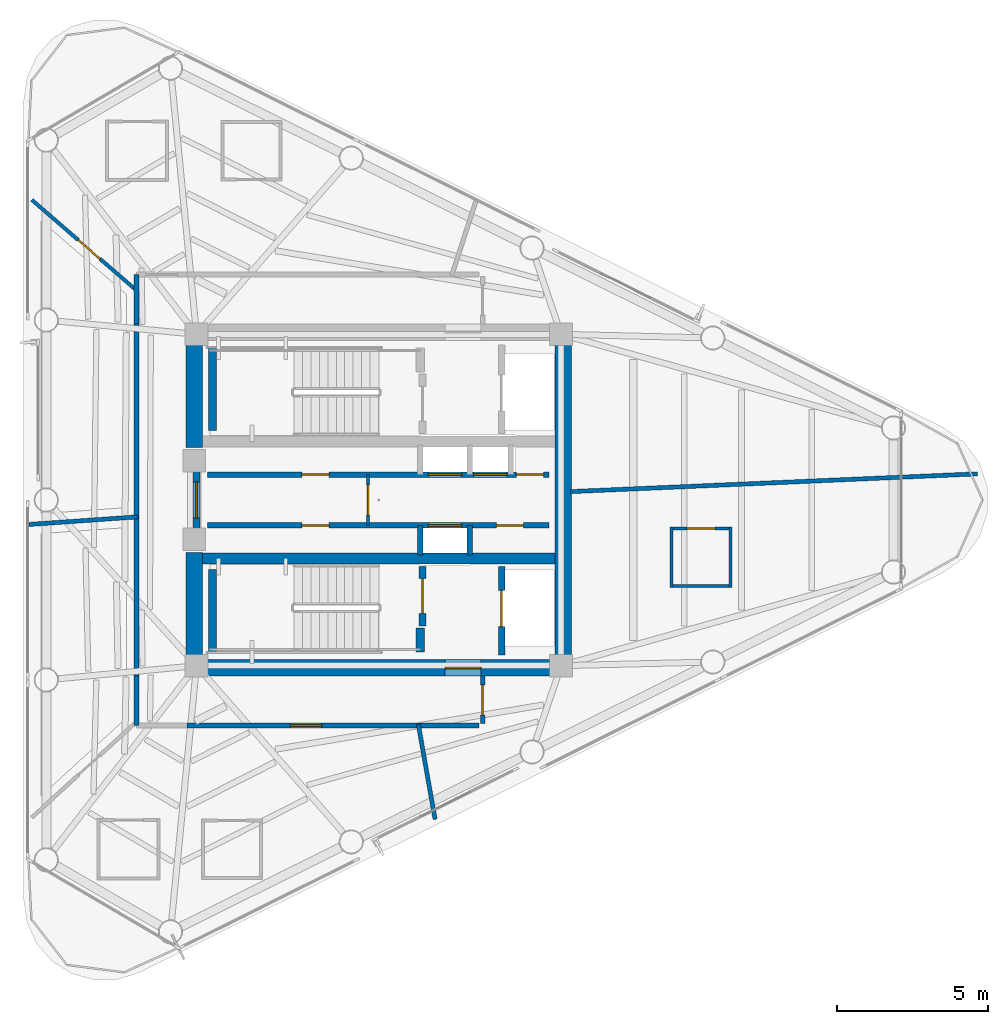
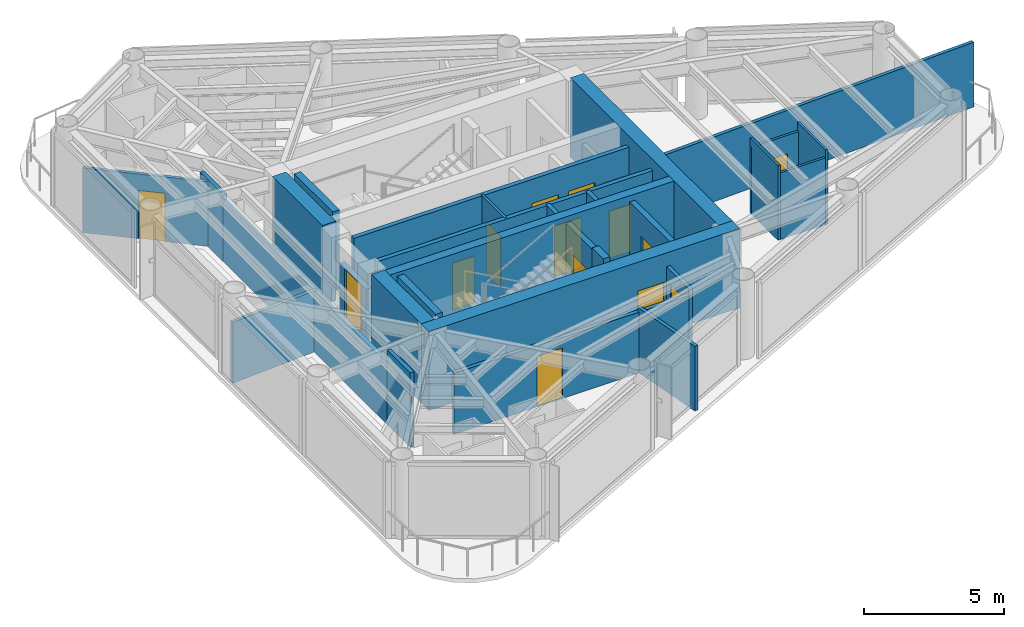
# One storey, part 5 of 10: 29 walls, 16 doors, 16 openings.
"""IFC4 building model written with IfcOpenShell, lengths in metres."""

from ifc_helpers import new_model, si_unit, direction, frame, frame_2d, origin, place, context, subcontext, project, spatial, rectangle, extrude, material, layer, layer_set, type_object, element, fill, save


model = new_model("IFC4")

# Units and contexts
model_context = context("Model", 3, precision=1e-05, world=origin(), true_north=direction((0.0, 1.0)))
body_context = subcontext(model_context, "Body", "Model", "MODEL_VIEW")
ifc_project = project(units=[si_unit("LENGTHUNIT", "METRE"), si_unit("AREAUNIT", "SQUARE_METRE"), si_unit("VOLUMEUNIT", "CUBIC_METRE"), si_unit("PLANEANGLEUNIT", "RADIAN"), si_unit("MASSUNIT", "GRAM", prefix="KILO")], contexts=[model_context])

# Site, building, storey
site_placement = place(None, origin())
site = spatial("IfcSite", under=ifc_project, at=site_placement, CompositionType="ELEMENT")
building_placement = place(site_placement, origin())
building = spatial("IfcBuilding", under=site, at=building_placement, Name="Yunling Apex Tower", CompositionType="ELEMENT")
storey_placement = place(building_placement, frame((0.0, 0.0, 300.199951171875)))
storey = spatial("IfcBuildingStorey", under=building, at=storey_placement, Name="L73", CompositionType="ELEMENT", Elevation=300.199951171875)

# Wall, opening, door
ifc_material_1 = material(Name="Concrete C40", Category="concrete")
ifc_layer_1 = layer(ifc_material_1, 0.550048828125)
ifc_layer_set_1 = layer_set([ifc_layer_1], Name="Concrete C40")
wall_type_1 = type_object("IfcWallType", Name="WL-COR-3", PredefinedType="SHEAR", material=ifc_layer_set_1)
wall_1_placement = place(storey_placement, frame((-6.39990234375, -5.574951171875, 0.0), z_axis=(0.0, 0.0, 1.0), x_axis=(1.0, 0.0, 0.0)))
wall_1 = element("IfcWall", 1, at=wall_1_placement, inside=storey, type_object=wall_type_1, Name="L73 South Core Shear Wall", PredefinedType="SHEAR", context=body_context, shape_type="SweptSolid", body=[
    extrude(rectangle(XDim=12.7998046875, YDim=0.550048828125, at=frame_2d((6.39990234375, 0.0))), origin(), (0.0, 0.0, 1.0), 3.449951171875),
])
opening_1_placement = place(wall_1_placement, frame((8.60009765625, 0.0, 0.0)))
opening_1 = element("IfcOpeningElement", 2, at=opening_1_placement, cuts=wall_1, Name="Opening DR-FFL-1", PredefinedType="OPENING", context=body_context, shape_type="SweptSolid", body=[
    extrude(rectangle(XDim=1.199951171875, YDim=2.199951171875, at=frame_2d((0.60009765625, 1.10009765625))), frame((0.0, 0.28515625, 0.0), z_axis=(0.0, -1.0, 0.0), x_axis=(1.0, 0.0, 0.0)), (0.0, 0.0, 1.0), 0.570068359375),
])
ifc_material_2 = material(Name="Steel Q355B", Category="steel")
door_type_1 = type_object("IfcDoorType", Name="DR-FFL-1", OperationType="NOTDEFINED", PredefinedType="DOOR", material=ifc_material_2)
door_1_placement = place(opening_1_placement, origin())
door_1 = element("IfcDoor", 3, at=door_1_placement, inside=storey, type_object=door_type_1, Name="L73 South Firefighting Lobby Door", OperationType="SINGLE_SWING_RIGHT", OverallHeight=2.199951171875, OverallWidth=1.199951171875, PredefinedType="DOOR", context=body_context, shape_type="SweptSolid", body=[
    extrude(rectangle(XDim=1.199951171875, YDim=2.199951171875, at=frame_2d((0.60009765625, 1.10009765625))), frame((0.0, 0.02490234375, 0.0), z_axis=(0.0, -1.0, 0.0), x_axis=(1.0, 0.0, 0.0)), (0.0, 0.0, 1.0), 0.050048828125),
])
fill(opening_1, door_1)

# Walls
wall_2_placement = place(storey_placement, frame((6.125, -5.300048828125, 0.0), z_axis=(0.0, 0.0, 1.0), x_axis=(0.0, 1.0, 0.0)))
element("IfcWall", 4, at=wall_2_placement, inside=storey, type_object=wall_type_1, Name="L73 East Core Shear Wall", PredefinedType="SHEAR", context=body_context, shape_type="SweptSolid", body=[
    extrude(rectangle(XDim=10.60009765625, YDim=0.550048828125, at=frame_2d((5.300048828125, 0.0))), origin(), (0.0, 0.0, 1.0), 3.449951171875),
])
for number, where, z_axis, x_axis, name in (
    (5, (-6.125, -5.300048828125, 0.0), (0.0, 0.0, 1.0), (0.0, 1.0, 0.0), "L73 West-South Core Shear Wall"),
    (6, (-6.125, 1.75, 0.0), (0.0, 0.0, 1.0), (0.0, 1.0, 0.0), "L73 West-North Core Shear Wall"),
):
    element("IfcWall", number, at=place(storey_placement, frame(where, z_axis=z_axis, x_axis=x_axis)), inside=storey, type_object=wall_type_1, Name=name, PredefinedType="SHEAR", context=body_context, shape_type="SweptSolid", body=[
        extrude(rectangle(XDim=3.550048828125, YDim=0.550048828125, at=frame_2d((1.77490234375, 0.0))), origin(), (0.0, 0.0, 1.0), 3.449951171875),
    ])
ifc_layer_2 = layer(ifc_material_1, 0.360107421875)
ifc_layer_set_2 = layer_set([ifc_layer_2], Name="Concrete C40")
wall_type_2 = type_object("IfcWallType", Name="WL-COR-4", PredefinedType="SHEAR", material=ifc_layer_set_2)
wall_3_placement = place(storey_placement, frame((-5.85009765625, -1.93994140625, 0.0), z_axis=(0.0, 0.0, 1.0), x_axis=(1.0, 0.0, 0.0)))
element("IfcWall", 7, at=wall_3_placement, inside=storey, type_object=wall_type_2, Name="L73 South Internal Core Shear Wall", PredefinedType="SHEAR", context=body_context, shape_type="SweptSolid", body=[
    extrude(rectangle(XDim=11.7001953125, YDim=0.360107421875, at=frame_2d((5.85009765625, 0.0))), origin(), (0.0, 0.0, 1.0), 3.449951171875),
])
ifc_layer_3 = layer(ifc_material_1, 0.280029296875)
ifc_layer_set_3 = layer_set([ifc_layer_3], Name="Concrete C40")
wall_type_3 = type_object("IfcWallType", Name="WL-COR-8", PredefinedType="SHEAR", material=ifc_layer_set_3)
for number, where, z_axis, x_axis, name in (
    (8, (-5.52001953125, 2.300048828125, 0.0), (0.0, 0.0, 1.0), (0.0, 1.0, 0.0), "L73 ST-1 West Landing Bearing Wall"),
    (9, (-5.52001953125, -5.050048828125, 0.0), (0.0, 0.0, 1.0), (0.0, 1.0, 0.0), "L73 ST-2 West Landing Bearing Wall"),
):
    element("IfcWall", number, at=place(storey_placement, frame(where, z_axis=z_axis, x_axis=x_axis)), inside=storey, type_object=wall_type_3, Name=name, PredefinedType="SHEAR", context=body_context, shape_type="SweptSolid", body=[
        extrude(rectangle(XDim=2.75, YDim=0.280029296875, at=frame_2d((1.375, 0.0))), origin(), (0.0, 0.0, 1.0), 3.449951171875),
    ])
wall_4_placement = place(storey_placement, frame((1.3798828125, -5.050048828125, 0.0), z_axis=(0.0, 0.0, 1.0), x_axis=(0.0, 1.0, 0.0)))
element("IfcWall", 10, at=wall_4_placement, inside=storey, type_object=wall_type_3, Name="L73 ST-2 East Landing Bearing Pier", PredefinedType="SHEAR", context=body_context, shape_type="SweptSolid", body=[
    extrude(rectangle(XDim=0.800048828125, YDim=0.280029296875, at=frame_2d((0.39990234375, 0.0))), origin(), (0.0, 0.0, 1.0), 3.449951171875),
])
ifc_material_3 = material(Name="Gypsum board acoustic partition")
ifc_layer_4 = layer(ifc_material_3, 0.159912109375)
ifc_layer_set_4 = layer_set([ifc_layer_4], Name="Gypsum board acoustic partition")
wall_type_4 = type_object("IfcWallType", Name="WL-PRT-1", PredefinedType="PARTITIONING", material=ifc_layer_set_4)
wall_5_placement = place(storey_placement, frame((-8.0400390625, 5.85009765625, 0.0), z_axis=(0.0, 0.0, 1.0), x_axis=(0.0, 1.0, 0.0)))
element("IfcWall", 11, at=wall_5_placement, inside=storey, type_object=wall_type_4, Name="WL-CORR-L73-01", PredefinedType="PARTITIONING", context=body_context, shape_type="SweptSolid", body=[
    extrude(rectangle(XDim=1.639892578125, YDim=0.159912109375, at=frame_2d((0.81982421875, 0.0))), origin(), (0.0, 0.0, 1.0), 2.905029296875),
])

# Wall, opening, door
wall_6_placement = place(storey_placement, frame((3.449951171875, -5.85009765625, 0.0), z_axis=(0.0, 0.0, 1.0), x_axis=(0.0, -1.0, 0.0)))
wall_6 = element("IfcWall", 12, at=wall_6_placement, inside=storey, type_object=wall_type_4, Name="WL-CORR-L73-05", PredefinedType="PARTITIONING", context=body_context, shape_type="SweptSolid", body=[
    extrude(rectangle(XDim=1.57470703125, YDim=0.159912109375, at=frame_2d((0.787353515625, 0.0))), origin(), (0.0, 0.0, 1.0), 2.85498046875),
])
opening_2_placement = place(wall_6_placement, frame((0.287353515625, 0.0, 0.0)))
opening_2 = element("IfcOpeningElement", 13, at=opening_2_placement, cuts=wall_6, Name="Opening DR-OFF-1", PredefinedType="OPENING", context=body_context, shape_type="SweptSolid", body=[
    extrude(rectangle(XDim=1.0, YDim=2.25, at=frame_2d((0.5, 1.125))), frame((0.0, 0.08984375, 0.0), z_axis=(0.0, -1.0, 0.0), x_axis=(1.0, 0.0, 0.0)), (0.0, 0.0, 1.0), 0.179931640625),
])
ifc_material_4 = material(Name="Bronze anodised aluminium", Category="aluminium")
door_type_2 = type_object("IfcDoorType", Name="DR-OFF-1", OperationType="NOTDEFINED", PredefinedType="DOOR", material=ifc_material_4)
door_2_placement = place(opening_2_placement, origin())
door_2 = element("IfcDoor", 14, at=door_2_placement, inside=storey, type_object=door_type_2, Name="L73 Residents Music Lounge Door", OperationType="SINGLE_SWING_LEFT", OverallHeight=2.25, OverallWidth=1.0, PredefinedType="DOOR", context=body_context, shape_type="SweptSolid", body=[
    extrude(rectangle(XDim=1.0, YDim=2.25, at=frame_2d((0.5, 1.125))), frame((0.0, 0.02490234375, 0.0), z_axis=(0.0, -1.0, 0.0), x_axis=(1.0, 0.0, 0.0)), (0.0, 0.0, 1.0), 0.050048828125),
])
fill(opening_2, door_2)

wall_7_placement = place(storey_placement, frame((3.319091796875, -7.489990234375, 0.0), z_axis=(0.0, 0.0, 1.0), x_axis=(-1.0, 0.0, 0.0)))
wall_7 = element("IfcWall", 15, at=wall_7_placement, inside=storey, type_object=wall_type_4, Name="WL-CORR-L73-06", PredefinedType="PARTITIONING", context=body_context, shape_type="SweptSolid", body=[
    extrude(rectangle(XDim=9.67919921875, YDim=0.159912109375, at=frame_2d((4.839599609375, 0.0))), origin(), (0.0, 0.0, 1.0), 2.655029296875),
])
opening_3_placement = place(wall_7_placement, frame((5.213134765625, 0.0, 0.0)))
opening_3 = element("IfcOpeningElement", 16, at=opening_3_placement, cuts=wall_7, Name="Opening DR-FL-1", PredefinedType="OPENING", context=body_context, shape_type="SweptSolid", body=[
    extrude(rectangle(XDim=1.050048828125, YDim=2.199951171875, at=frame_2d((0.52490234375, 1.10009765625))), frame((0.0, 0.08984375, 0.0), z_axis=(0.0, -1.0, 0.0), x_axis=(1.0, 0.0, 0.0)), (0.0, 0.0, 1.0), 0.179931640625),
])
ifc_material_5 = material(Name="Timber fire-rated leaf", Category="wood")
door_type_3 = type_object("IfcDoorType", Name="DR-FL-1", OperationType="NOTDEFINED", PredefinedType="DOOR", material=ifc_material_5)
door_3_placement = place(opening_3_placement, origin())
door_3 = element("IfcDoor", 17, at=door_3_placement, inside=storey, type_object=door_type_3, Name="L73 Unit 1 Entrance Door", OperationType="SINGLE_SWING_RIGHT", OverallHeight=2.199951171875, OverallWidth=1.050048828125, PredefinedType="DOOR", context=body_context, shape_type="SweptSolid", body=[
    extrude(rectangle(XDim=1.050048828125, YDim=2.199951171875, at=frame_2d((0.52490234375, 1.10009765625))), frame((0.0, 0.02490234375, 0.0), z_axis=(0.0, -1.0, 0.0), x_axis=(1.0, 0.0, 0.0)), (0.0, 0.0, 1.0), 0.050048828125),
])
fill(opening_3, door_3)

# Walls
wall_8_placement = place(storey_placement, frame((-8.0400390625, -7.489990234375, 0.0), z_axis=(0.0, 0.0, 1.0), x_axis=(0.0, 1.0, 0.0)))
element("IfcWall", 18, at=wall_8_placement, inside=storey, type_object=wall_type_4, Name="WL-CORR-L73-08", PredefinedType="PARTITIONING", context=body_context, shape_type="SweptSolid", body=[
    extrude(rectangle(XDim=1.639892578125, YDim=0.159912109375, at=frame_2d((0.81982421875, 0.0))), origin(), (0.0, 0.0, 1.0), 3.25),
])
wall_9_placement = place(storey_placement, frame((-8.0400390625, -5.85009765625, 0.0), z_axis=(0.0, 0.0, 1.0), x_axis=(0.0, 1.0, 0.0)))
element("IfcWall", 19, at=wall_9_placement, inside=storey, type_object=wall_type_4, Name="WL-CORR-L73-09", PredefinedType="PARTITIONING", context=body_context, shape_type="SweptSolid", body=[
    extrude(rectangle(XDim=11.7001953125, YDim=0.159912109375, at=frame_2d((5.85009765625, 0.0))), origin(), (0.0, 0.0, 1.0), 2.655029296875),
])
ifc_layer_5 = layer(ifc_material_3, 0.139892578125)
ifc_layer_set_5 = layer_set([ifc_layer_5], Name="Gypsum board acoustic partition")
wall_type_5 = type_object("IfcWallType", Name="WL-PRT-2", PredefinedType="PARTITIONING", material=ifc_layer_set_5)
wall_10_placement = place(storey_placement, frame((6.360107421875, 0.277587890625, 0.0), z_axis=(0.0, 0.0, 1.0), x_axis=(0.999047623791, 0.043633076864, 0.0)))
element("IfcWall", 20, at=wall_10_placement, inside=storey, type_object=wall_type_5, Name="WL-RAD-L73-01", PredefinedType="PARTITIONING", context=body_context, shape_type="SweptSolid", body=[
    extrude(rectangle(XDim=13.52392578125, YDim=0.139892578125, at=frame_2d((6.761962890625, 0.0))), origin(), (0.0, 0.0, 1.0), 2.81494140625),
])
wall_11_placement = place(storey_placement, frame((-8.0, -0.559326171875, 0.0), z_axis=(0.0, 0.0, 1.0), x_axis=(-0.99756047181, -0.069807629118, 0.0)))
element("IfcWall", 21, at=wall_11_placement, inside=storey, type_object=wall_type_5, Name="WL-RAD-L73-03", PredefinedType="PARTITIONING", context=body_context, shape_type="SweptSolid", body=[
    extrude(rectangle(XDim=3.6162109375, YDim=0.139892578125, at=frame_2d((1.80810546875, 0.0))), origin(), (0.0, 0.0, 1.0), 2.655029296875),
])
wall_12_placement = place(storey_placement, frame((1.313720703125, -7.449951171875, 0.0), z_axis=(0.0, 0.0, 1.0), x_axis=(0.173619966433, -0.984812726997, 0.0)))
element("IfcWall", 22, at=wall_12_placement, inside=storey, type_object=wall_type_5, Name="WL-RAD-L73-04", PredefinedType="PARTITIONING", context=body_context, shape_type="SweptSolid", body=[
    extrude(rectangle(XDim=3.200439453125, YDim=0.139892578125, at=frame_2d((1.60009765625, 0.0))), origin(), (0.0, 0.0, 1.0), 2.81494140625),
])

# Wall, opening, door
ifc_layer_6 = layer(ifc_material_3, 0.1201171875)
ifc_layer_set_6 = layer_set([ifc_layer_6], Name="Gypsum board acoustic partition")
wall_type_6 = type_object("IfcWallType", Name="WL-PRT-3", PredefinedType="PARTITIONING", material=ifc_layer_set_6)
wall_13_placement = place(storey_placement, frame((-8.070068359375, 6.98095703125, 0.0), z_axis=(0.0, 0.0, 1.0), x_axis=(-0.756280799409, 0.654247164644, 0.0)))
wall_13 = element("IfcWall", 23, at=wall_13_placement, inside=storey, type_object=wall_type_6, Name="WL-BED-L73-4", PredefinedType="PARTITIONING", context=body_context, shape_type="SweptSolid", body=[
    extrude(rectangle(XDim=4.55810546875, YDim=0.1201171875, at=frame_2d((2.279052734375, 0.0))), origin(), (0.0, 0.0, 1.0), 2.81494140625),
])
opening_4_placement = place(wall_13_placement, frame((1.5712890625, 0.0, 0.0)))
opening_4 = element("IfcOpeningElement", 24, at=opening_4_placement, cuts=wall_13, Name="Opening DR-RM-1", PredefinedType="OPENING", context=body_context, shape_type="SweptSolid", body=[
    extrude(rectangle(XDim=0.949951171875, YDim=2.10009765625, at=frame_2d((0.47509765625, 1.050048828125))), frame((0.0, 0.070068359375, 0.0), z_axis=(0.0, -1.0, 0.0), x_axis=(1.0, 0.0, 0.0)), (0.0, 0.0, 1.0), 0.14013671875),
])
ifc_material_6 = material(Name="Timber flush leaf", Category="wood")
door_type_4 = type_object("IfcDoorType", Name="DR-RM-1", OperationType="NOTDEFINED", PredefinedType="DOOR", material=ifc_material_6)
door_4_placement = place(opening_4_placement, origin())
door_4 = element("IfcDoor", 25, at=door_4_placement, inside=storey, type_object=door_type_4, Name="L73 Unit 4 Bedroom Door", OperationType="SINGLE_SWING_RIGHT", OverallHeight=2.10009765625, OverallWidth=0.949951171875, PredefinedType="DOOR", context=body_context, shape_type="SweptSolid", body=[
    extrude(rectangle(XDim=0.949951171875, YDim=2.10009765625, at=frame_2d((0.47509765625, 1.050048828125))), frame((0.0, 0.02490234375, 0.0), z_axis=(0.0, -1.0, 0.0), x_axis=(1.0, 0.0, 0.0)), (0.0, 0.0, 1.0), 0.050048828125),
])
fill(opening_4, door_4)

ifc_layer_7 = layer(ifc_material_3, 0.10009765625)
ifc_layer_set_7 = layer_set([ifc_layer_7], Name="Gypsum board acoustic partition")
wall_type_7 = type_object("IfcWallType", Name="WL-PRT-4", PredefinedType="PARTITIONING", material=ifc_layer_set_7)
wall_14_placement = place(storey_placement, frame((-0.35009765625, -0.840087890625, 0.0), z_axis=(0.0, 0.0, 1.0), x_axis=(0.0, 1.0, 0.0)))
wall_14 = element("IfcWall", 26, at=wall_14_placement, inside=storey, type_object=wall_type_7, Name="WL-LOB-MID-L73", PredefinedType="PARTITIONING", context=body_context, shape_type="SweptSolid", body=[
    extrude(rectangle(XDim=1.68017578125, YDim=0.10009765625, at=frame_2d((0.840087890625, 0.0))), origin(), (0.0, 0.0, 1.0), 3.25),
])
opening_5_placement = place(wall_14_placement, frame((0.340087890625, 0.0, 0.0)))
opening_5 = element("IfcOpeningElement", 27, at=opening_5_placement, cuts=wall_14, Name="Opening DR-OFF-1", PredefinedType="OPENING", context=body_context, shape_type="SweptSolid", body=[
    extrude(rectangle(XDim=1.0, YDim=2.25, at=frame_2d((0.5, 1.125))), frame((0.0, 0.06005859375, 0.0), z_axis=(0.0, -1.0, 0.0), x_axis=(1.0, 0.0, 0.0)), (0.0, 0.0, 1.0), 0.1201171875),
])
door_5_placement = place(opening_5_placement, origin())
door_5 = element("IfcDoor", 28, at=door_5_placement, inside=storey, type_object=door_type_2, Name="L73 Core Lobby Link Door", OperationType="SINGLE_SWING_LEFT", OverallHeight=2.25, OverallWidth=1.0, PredefinedType="DOOR", context=body_context, shape_type="SweptSolid", body=[
    extrude(rectangle(XDim=1.0, YDim=2.25, at=frame_2d((0.5, 1.125))), frame((0.0, 0.02490234375, 0.0), z_axis=(0.0, -1.0, 0.0), x_axis=(1.0, 0.0, 0.0)), (0.0, 0.0, 1.0), 0.050048828125),
])
fill(opening_5, door_5)

wall_15_placement = place(storey_placement, frame((9.669921875, -0.951904296875, 0.0), z_axis=(0.0, 0.0, 1.0), x_axis=(1.0, 0.0, 0.0)))
wall_15 = element("IfcWall", 29, at=wall_15_placement, inside=storey, type_object=wall_type_7, Name="WL-L73-RWC2N", PredefinedType="PARTITIONING", context=body_context, shape_type="SweptSolid", body=[
    extrude(rectangle(XDim=2.050048828125, YDim=0.10009765625, at=frame_2d((1.02490234375, 0.0))), origin(), (0.0, 0.0, 1.0), 2.905029296875),
])
opening_6_placement = place(wall_15_placement, frame((0.56494140625, 0.0, 0.0)))
opening_6 = element("IfcOpeningElement", 30, at=opening_6_placement, cuts=wall_15, Name="Opening DR-WC-1", PredefinedType="OPENING", context=body_context, shape_type="SweptSolid", body=[
    extrude(rectangle(XDim=0.919921875, YDim=2.10009765625, at=frame_2d((0.4599609375, 1.050048828125))), frame((0.0, 0.06005859375, 0.0), z_axis=(0.0, -1.0, 0.0), x_axis=(1.0, 0.0, 0.0)), (0.0, 0.0, 1.0), 0.1201171875),
])
ifc_material_7 = material(Name="Timber moisture-resistant leaf", Category="wood")
door_type_5 = type_object("IfcDoorType", Name="DR-WC-1", OperationType="NOTDEFINED", PredefinedType="DOOR", material=ifc_material_7)
door_6_placement = place(opening_6_placement, origin())
door_6 = element("IfcDoor", 31, at=door_6_placement, inside=storey, type_object=door_type_5, Name="L73 Accessible WC Door", OperationType="SINGLE_SWING_LEFT", OverallHeight=2.10009765625, OverallWidth=0.919921875, PredefinedType="DOOR", context=body_context, shape_type="SweptSolid", body=[
    extrude(rectangle(XDim=0.919921875, YDim=2.10009765625, at=frame_2d((0.4599609375, 1.050048828125))), frame((0.0, 0.02490234375, 0.0), z_axis=(0.0, -1.0, 0.0), x_axis=(1.0, 0.0, 0.0)), (0.0, 0.0, 1.0), 0.050048828125),
])
fill(opening_6, door_6)

# Walls
wall_16_placement = place(storey_placement, frame((11.719970703125, -2.85205078125, 0.0), z_axis=(0.0, 0.0, 1.0), x_axis=(-1.0, 0.0, 0.0)))
element("IfcWall", 32, at=wall_16_placement, inside=storey, type_object=wall_type_7, Name="WL-L73-RWC2S", PredefinedType="PARTITIONING", context=body_context, shape_type="SweptSolid", body=[
    extrude(rectangle(XDim=2.050048828125, YDim=0.10009765625, at=frame_2d((1.02490234375, 0.0))), origin(), (0.0, 0.0, 1.0), 2.905029296875),
])
for number, where, z_axis, x_axis, name in (
    (33, (11.669921875, -0.902099609375, 0.0), (0.0, 0.0, 1.0), (0.0, -1.0, 0.0), "WL-L73-RWC2E"),
    (34, (9.719970703125, -2.902099609375, 0.0), (0.0, 0.0, 1.0), (0.0, 1.0, 0.0), "WL-L73-RWC2W"),
):
    element("IfcWall", number, at=place(storey_placement, frame(where, z_axis=z_axis, x_axis=x_axis)), inside=storey, type_object=wall_type_7, Name=name, PredefinedType="PARTITIONING", context=body_context, shape_type="SweptSolid", body=[
        extrude(rectangle(XDim=2.0, YDim=0.10009765625, at=frame_2d((1.0, 0.0))), origin(), (0.0, 0.0, 1.0), 3.25),
    ])

# Wall, opening, door
ifc_material_8 = material(Name="Autoclaved aerated concrete masonry", Category="masonry")
ifc_layer_8 = layer(ifc_material_8, 0.219970703125)
ifc_layer_set_8 = layer_set([ifc_layer_8], Name="Autoclaved aerated concrete masonry")
wall_type_8 = type_object("IfcWallType", Name="WL-SHF-1", PredefinedType="PLUMBINGWALL", material=ifc_layer_set_8)
wall_17_placement = place(storey_placement, frame((-6.050048828125, -0.949951171875, 0.0), z_axis=(0.0, 0.0, 1.0), x_axis=(0.0, 1.0, 0.0)))
wall_17 = element("IfcWall", 35, at=wall_17_placement, inside=storey, type_object=wall_type_8, Name="WL-COR-WPORT-L73", PredefinedType="PLUMBINGWALL", context=body_context, shape_type="SweptSolid", body=[
    extrude(rectangle(XDim=1.89990234375, YDim=0.219970703125, at=frame_2d((0.949951171875, 0.0))), origin(), (0.0, 0.0, 1.0), 2.22998046875),
])
opening_7_placement = place(wall_17_placement, frame((0.35009765625, 0.0, 0.0)))
opening_7 = element("IfcOpeningElement", 36, at=opening_7_placement, cuts=wall_17, Name="Opening DR-FFL-1", PredefinedType="OPENING", context=body_context, shape_type="SweptSolid", body=[
    extrude(rectangle(XDim=1.199951171875, YDim=2.199951171875, at=frame_2d((0.60009765625, 1.10009765625))), frame((0.0, 0.1201171875, 0.0), z_axis=(0.0, -1.0, 0.0), x_axis=(1.0, 0.0, 0.0)), (0.0, 0.0, 1.0), 0.239990234375),
])
door_7_placement = place(opening_7_placement, origin())
door_7 = element("IfcDoor", 37, at=door_7_placement, inside=storey, type_object=door_type_1, Name="L73 Passenger Lift Lobby Entrance Door", OperationType="SINGLE_SWING_LEFT", OverallHeight=2.199951171875, OverallWidth=1.199951171875, PredefinedType="DOOR", context=body_context, shape_type="SweptSolid", body=[
    extrude(rectangle(XDim=1.199951171875, YDim=2.199951171875, at=frame_2d((0.60009765625, 1.10009765625))), frame((0.0, 0.02490234375, 0.0), z_axis=(0.0, -1.0, 0.0), x_axis=(1.0, 0.0, 0.0)), (0.0, 0.0, 1.0), 0.050048828125),
])
fill(opening_7, door_7)

wall_18_placement = place(storey_placement, frame((1.449951171875, -4.179931640625, 0.0), z_axis=(0.0, 0.0, 1.0), x_axis=(0.0, 1.0, 0.0)))
wall_18 = element("IfcWall", 38, at=wall_18_placement, inside=storey, type_object=wall_type_8, Name="WL-ST2-E-L73", PredefinedType="PLUMBINGWALL", context=body_context, shape_type="SweptSolid", body=[
    extrude(rectangle(XDim=1.97998046875, YDim=0.219970703125, at=frame_2d((0.989990234375, 0.0))), origin(), (0.0, 0.0, 1.0), 3.25),
])
opening_8_placement = place(wall_18_placement, frame((0.419921875, 0.0, 0.0)))
opening_8 = element("IfcOpeningElement", 39, at=opening_8_placement, cuts=wall_18, Name="Opening DR-ST-1", PredefinedType="OPENING", context=body_context, shape_type="SweptSolid", body=[
    extrude(rectangle(XDim=1.14990234375, YDim=2.14990234375, at=frame_2d((0.574951171875, 1.074951171875))), frame((0.0, 0.1201171875, 0.0), z_axis=(0.0, -1.0, 0.0), x_axis=(1.0, 0.0, 0.0)), (0.0, 0.0, 1.0), 0.239990234375),
])
door_type_6 = type_object("IfcDoorType", Name="DR-ST-1", OperationType="NOTDEFINED", PredefinedType="DOOR", material=ifc_material_2)
door_8_placement = place(opening_8_placement, origin())
door_8 = element("IfcDoor", 40, at=door_8_placement, inside=storey, type_object=door_type_6, Name="L73 Stair ST-2 Fire Door", OperationType="SINGLE_SWING_RIGHT", OverallHeight=2.14990234375, OverallWidth=1.14990234375, PredefinedType="DOOR", context=body_context, shape_type="SweptSolid", body=[
    extrude(rectangle(XDim=1.14990234375, YDim=2.14990234375, at=frame_2d((0.574951171875, 1.074951171875))), frame((0.0, 0.02490234375, 0.0), z_axis=(0.0, -1.0, 0.0), x_axis=(1.0, 0.0, 0.0)), (0.0, 0.0, 1.0), 0.050048828125),
])
fill(opening_8, door_8)

wall_19_placement = place(storey_placement, frame((4.080078125, -5.14990234375, 0.0), z_axis=(0.0, 0.0, 1.0), x_axis=(0.0, 1.0, 0.0)))
wall_19 = element("IfcWall", 41, at=wall_19_placement, inside=storey, type_object=wall_type_8, Name="WL-FFL2-W-L73", PredefinedType="PLUMBINGWALL", context=body_context, shape_type="SweptSolid", body=[
    extrude(rectangle(XDim=2.949951171875, YDim=0.219970703125, at=frame_2d((1.47509765625, 0.0))), origin(), (0.0, 0.0, 1.0), 3.25),
])
opening_9_placement = place(wall_19_placement, frame((0.949951171875, 0.0, 0.0)))
opening_9 = element("IfcOpeningElement", 42, at=opening_9_placement, cuts=wall_19, Name="Opening LD-FFL-1", PredefinedType="OPENING", context=body_context, shape_type="SweptSolid", body=[
    extrude(rectangle(XDim=1.199951171875, YDim=2.25, at=frame_2d((0.60009765625, 1.125))), frame((0.0, 0.1201171875, 0.0), z_axis=(0.0, -1.0, 0.0), x_axis=(1.0, 0.0, 0.0)), (0.0, 0.0, 1.0), 0.239990234375),
])
door_type_7 = type_object("IfcDoorType", Name="LD-FFL-1", OperationType="DOUBLE_DOOR_SLIDING", PredefinedType="DOOR", material=ifc_material_2)
door_9_placement = place(opening_9_placement, origin())
door_9 = element("IfcDoor", 43, at=door_9_placement, inside=storey, type_object=door_type_7, Name="L73 Lift FFL-2 Landing Door", OperationType="DOUBLE_DOOR_SLIDING", OverallHeight=2.25, OverallWidth=1.199951171875, PredefinedType="DOOR", context=body_context, shape_type="SweptSolid", body=[
    extrude(rectangle(XDim=1.199951171875, YDim=2.25, at=frame_2d((0.60009765625, 1.125))), frame((0.0, 0.02490234375, 0.0), z_axis=(0.0, -1.0, 0.0), x_axis=(1.0, 0.0, 0.0)), (0.0, 0.0, 1.0), 0.050048828125),
])
fill(opening_9, door_9)

# Walls
ifc_layer_9 = layer(ifc_material_8, 0.179931640625)
ifc_layer_set_9 = layer_set([ifc_layer_9], Name="Autoclaved aerated concrete masonry")
wall_type_9 = type_object("IfcWallType", Name="WL-SHF-2", PredefinedType="PLUMBINGWALL", material=ifc_layer_set_9)
for number, where, z_axis, x_axis, name in (
    (44, (1.3798828125, -1.820068359375, 0.0), (0.0, 0.0, 1.0), (0.0, 1.0, 0.0), "WL-BNK-MH-S-L73"),
    (45, (3.02001953125, -1.820068359375, 0.0), (0.0, 0.0, 1.0), (0.0, 1.0, 0.0), "WL-END-H2E-L73"),
):
    element("IfcWall", number, at=place(storey_placement, frame(where, z_axis=z_axis, x_axis=x_axis)), inside=storey, type_object=wall_type_9, Name=name, PredefinedType="PLUMBINGWALL", context=body_context, shape_type="SweptSolid", body=[
        extrude(rectangle(XDim=0.97998046875, YDim=0.179931640625, at=frame_2d((0.489990234375, 0.0))), origin(), (0.0, 0.0, 1.0), 3.25),
    ])

# Wall, openings, doors
wall_20_placement = place(storey_placement, frame((-5.679931640625, 0.840087890625, 0.0), z_axis=(0.0, 0.0, 1.0), x_axis=(1.0, 0.0, 0.0)))
wall_20 = element("IfcWall", 46, at=wall_20_placement, inside=storey, type_object=wall_type_9, Name="WL-LOB-N-L73", PredefinedType="PLUMBINGWALL", context=body_context, shape_type="SweptSolid", body=[
    extrude(rectangle(XDim=11.329833984375, YDim=0.179931640625, at=frame_2d((5.6650390625, 0.0))), origin(), (0.0, 0.0, 1.0), 3.25),
])
opening_10_placement = place(wall_20_placement, frame((3.1298828125, 0.0, 0.0)))
opening_10 = element("IfcOpeningElement", 47, at=opening_10_placement, cuts=wall_20, Name="Opening DR-SHF-1", PredefinedType="OPENING", context=body_context, shape_type="SweptSolid", body=[
    extrude(rectangle(XDim=0.89990234375, YDim=2.050048828125, at=frame_2d((0.449951171875, 1.02490234375))), frame((0.0, 0.10009765625, 0.0), z_axis=(0.0, -1.0, 0.0), x_axis=(1.0, 0.0, 0.0)), (0.0, 0.0, 1.0), 0.199951171875),
])
opening_11_placement = place(wall_20_placement, frame((7.330078125, 0.0, 0.0)))
opening_11 = element("IfcOpeningElement", 48, at=opening_11_placement, cuts=wall_20, Name="Opening LD-PAS-1", PredefinedType="OPENING", context=body_context, shape_type="SweptSolid", body=[
    extrude(rectangle(XDim=1.10009765625, YDim=2.199951171875, at=frame_2d((0.550048828125, 1.10009765625))), frame((0.0, 0.10009765625, 0.0), z_axis=(0.0, -1.0, 0.0), x_axis=(1.0, 0.0, 0.0)), (0.0, 0.0, 1.0), 0.199951171875),
])
opening_12_placement = place(wall_20_placement, frame((8.830078125, 0.0, 0.0)))
opening_12 = element("IfcOpeningElement", 49, at=opening_12_placement, cuts=wall_20, Name="Opening LD-PAS-1", PredefinedType="OPENING", context=body_context, shape_type="SweptSolid", body=[
    extrude(rectangle(XDim=1.10009765625, YDim=2.199951171875, at=frame_2d((0.550048828125, 1.10009765625))), frame((0.0, 0.10009765625, 0.0), z_axis=(0.0, -1.0, 0.0), x_axis=(1.0, 0.0, 0.0)), (0.0, 0.0, 1.0), 0.199951171875),
])
opening_13_placement = place(wall_20_placement, frame((10.25, 0.0, 0.0)))
opening_13 = element("IfcOpeningElement", 50, at=opening_13_placement, cuts=wall_20, Name="Opening DR-SHF-1", PredefinedType="OPENING", context=body_context, shape_type="SweptSolid", body=[
    extrude(rectangle(XDim=0.89990234375, YDim=2.050048828125, at=frame_2d((0.449951171875, 1.02490234375))), frame((0.0, 0.10009765625, 0.0), z_axis=(0.0, -1.0, 0.0), x_axis=(1.0, 0.0, 0.0)), (0.0, 0.0, 1.0), 0.199951171875),
])
door_type_8 = type_object("IfcDoorType", Name="DR-SHF-1", OperationType="NOTDEFINED", PredefinedType="DOOR", material=ifc_material_2)
door_10_placement = place(opening_10_placement, origin())
door_10 = element("IfcDoor", 51, at=door_10_placement, inside=storey, type_object=door_type_8, Name="L73 Data Plant Door", OperationType="SINGLE_SWING_RIGHT", OverallHeight=2.050048828125, OverallWidth=0.89990234375, PredefinedType="DOOR", context=body_context, shape_type="SweptSolid", body=[
    extrude(rectangle(XDim=0.89990234375, YDim=2.050048828125, at=frame_2d((0.449951171875, 1.02490234375))), frame((0.0, 0.02490234375, 0.0), z_axis=(0.0, -1.0, 0.0), x_axis=(1.0, 0.0, 0.0)), (0.0, 0.0, 1.0), 0.050048828125),
])
fill(opening_10, door_10)
door_11_placement = place(opening_13_placement, origin())
door_11 = element("IfcDoor", 52, at=door_11_placement, inside=storey, type_object=door_type_8, Name="L73 Core Janitor Closet Door", OperationType="SINGLE_SWING_LEFT", OverallHeight=2.050048828125, OverallWidth=0.89990234375, PredefinedType="DOOR", context=body_context, shape_type="SweptSolid", body=[
    extrude(rectangle(XDim=0.89990234375, YDim=2.050048828125, at=frame_2d((0.449951171875, 1.02490234375))), frame((0.0, 0.02490234375, 0.0), z_axis=(0.0, -1.0, 0.0), x_axis=(1.0, 0.0, 0.0)), (0.0, 0.0, 1.0), 0.050048828125),
])
fill(opening_13, door_11)
ifc_material_9 = material(Name="Silver anodised aluminium", Category="aluminium")
door_type_9 = type_object("IfcDoorType", Name="LD-PAS-1", OperationType="DOUBLE_DOOR_SLIDING", PredefinedType="DOOR", material=ifc_material_9)
door_12_placement = place(opening_11_placement, origin())
door_12 = element("IfcDoor", 53, at=door_12_placement, inside=storey, type_object=door_type_9, Name="L73 Lift PL-H1 Landing Door", OperationType="DOUBLE_DOOR_SLIDING", OverallHeight=2.199951171875, OverallWidth=1.10009765625, PredefinedType="DOOR", context=body_context, shape_type="SweptSolid", body=[
    extrude(rectangle(XDim=1.10009765625, YDim=2.199951171875, at=frame_2d((0.550048828125, 1.10009765625))), frame((0.0, 0.02490234375, 0.0), z_axis=(0.0, -1.0, 0.0), x_axis=(1.0, 0.0, 0.0)), (0.0, 0.0, 1.0), 0.050048828125),
])
fill(opening_11, door_12)
door_13_placement = place(opening_12_placement, origin())
door_13 = element("IfcDoor", 54, at=door_13_placement, inside=storey, type_object=door_type_9, Name="L73 Lift PL-H3 Landing Door", OperationType="DOUBLE_DOOR_SLIDING", OverallHeight=2.199951171875, OverallWidth=1.10009765625, PredefinedType="DOOR", context=body_context, shape_type="SweptSolid", body=[
    extrude(rectangle(XDim=1.10009765625, YDim=2.199951171875, at=frame_2d((0.550048828125, 1.10009765625))), frame((0.0, 0.02490234375, 0.0), z_axis=(0.0, -1.0, 0.0), x_axis=(1.0, 0.0, 0.0)), (0.0, 0.0, 1.0), 0.050048828125),
])
fill(opening_12, door_13)

wall_21_placement = place(storey_placement, frame((-5.679931640625, -0.840087890625, 0.0), z_axis=(0.0, 0.0, 1.0), x_axis=(1.0, 0.0, 0.0)))
wall_21 = element("IfcWall", 55, at=wall_21_placement, inside=storey, type_object=wall_type_9, Name="WL-LOB-S-L73", PredefinedType="PLUMBINGWALL", context=body_context, shape_type="SweptSolid", body=[
    extrude(rectangle(XDim=11.329833984375, YDim=0.179931640625, at=frame_2d((5.6650390625, 0.0))), origin(), (0.0, 0.0, 1.0), 3.25),
])
opening_14_placement = place(wall_21_placement, frame((3.1298828125, 0.0, 0.0)))
opening_14 = element("IfcOpeningElement", 56, at=opening_14_placement, cuts=wall_21, Name="Opening DR-SHF-1", PredefinedType="OPENING", context=body_context, shape_type="SweptSolid", body=[
    extrude(rectangle(XDim=0.89990234375, YDim=2.050048828125, at=frame_2d((0.449951171875, 1.02490234375))), frame((0.0, 0.10009765625, 0.0), z_axis=(0.0, -1.0, 0.0), x_axis=(1.0, 0.0, 0.0)), (0.0, 0.0, 1.0), 0.199951171875),
])
opening_15_placement = place(wall_21_placement, frame((7.330078125, 0.0, 0.0)))
opening_15 = element("IfcOpeningElement", 57, at=opening_15_placement, cuts=wall_21, Name="Opening LD-PAS-1", PredefinedType="OPENING", context=body_context, shape_type="SweptSolid", body=[
    extrude(rectangle(XDim=1.10009765625, YDim=2.199951171875, at=frame_2d((0.550048828125, 1.10009765625))), frame((0.0, 0.10009765625, 0.0), z_axis=(0.0, -1.0, 0.0), x_axis=(1.0, 0.0, 0.0)), (0.0, 0.0, 1.0), 0.199951171875),
])
opening_16_placement = place(wall_21_placement, frame((9.580078125, 0.0, 0.0)))
opening_16 = element("IfcOpeningElement", 58, at=opening_16_placement, cuts=wall_21, Name="Opening DR-SHF-1", PredefinedType="OPENING", context=body_context, shape_type="SweptSolid", body=[
    extrude(rectangle(XDim=0.89990234375, YDim=2.050048828125, at=frame_2d((0.449951171875, 1.02490234375))), frame((0.0, 0.10009765625, 0.0), z_axis=(0.0, -1.0, 0.0), x_axis=(1.0, 0.0, 0.0)), (0.0, 0.0, 1.0), 0.199951171875),
])
door_14_placement = place(opening_14_placement, origin())
door_14 = element("IfcDoor", 59, at=door_14_placement, inside=storey, type_object=door_type_8, Name="L73 Housekeeping Store Door", OperationType="SINGLE_SWING_RIGHT", OverallHeight=2.050048828125, OverallWidth=0.89990234375, PredefinedType="DOOR", context=body_context, shape_type="SweptSolid", body=[
    extrude(rectangle(XDim=0.89990234375, YDim=2.050048828125, at=frame_2d((0.449951171875, 1.02490234375))), frame((0.0, 0.02490234375, 0.0), z_axis=(0.0, -1.0, 0.0), x_axis=(1.0, 0.0, 0.0)), (0.0, 0.0, 1.0), 0.050048828125),
])
fill(opening_14, door_14)
door_15_placement = place(opening_16_placement, origin())
door_15 = element("IfcDoor", 60, at=door_15_placement, inside=storey, type_object=door_type_8, Name="L73 Core MEP Service Door", OperationType="SINGLE_SWING_LEFT", OverallHeight=2.050048828125, OverallWidth=0.89990234375, PredefinedType="DOOR", context=body_context, shape_type="SweptSolid", body=[
    extrude(rectangle(XDim=0.89990234375, YDim=2.050048828125, at=frame_2d((0.449951171875, 1.02490234375))), frame((0.0, 0.02490234375, 0.0), z_axis=(0.0, -1.0, 0.0), x_axis=(1.0, 0.0, 0.0)), (0.0, 0.0, 1.0), 0.050048828125),
])
fill(opening_16, door_15)
door_16_placement = place(opening_15_placement, origin())
door_16 = element("IfcDoor", 61, at=door_16_placement, inside=storey, type_object=door_type_9, Name="L73 Lift PL-H2 Landing Door", OperationType="DOUBLE_DOOR_SLIDING", OverallHeight=2.199951171875, OverallWidth=1.10009765625, PredefinedType="DOOR", context=body_context, shape_type="SweptSolid", body=[
    extrude(rectangle(XDim=1.10009765625, YDim=2.199951171875, at=frame_2d((0.550048828125, 1.10009765625))), frame((0.0, 0.02490234375, 0.0), z_axis=(0.0, -1.0, 0.0), x_axis=(1.0, 0.0, 0.0)), (0.0, 0.0, 1.0), 0.050048828125),
])
fill(opening_15, door_16)

save(model, "model.ifc")
